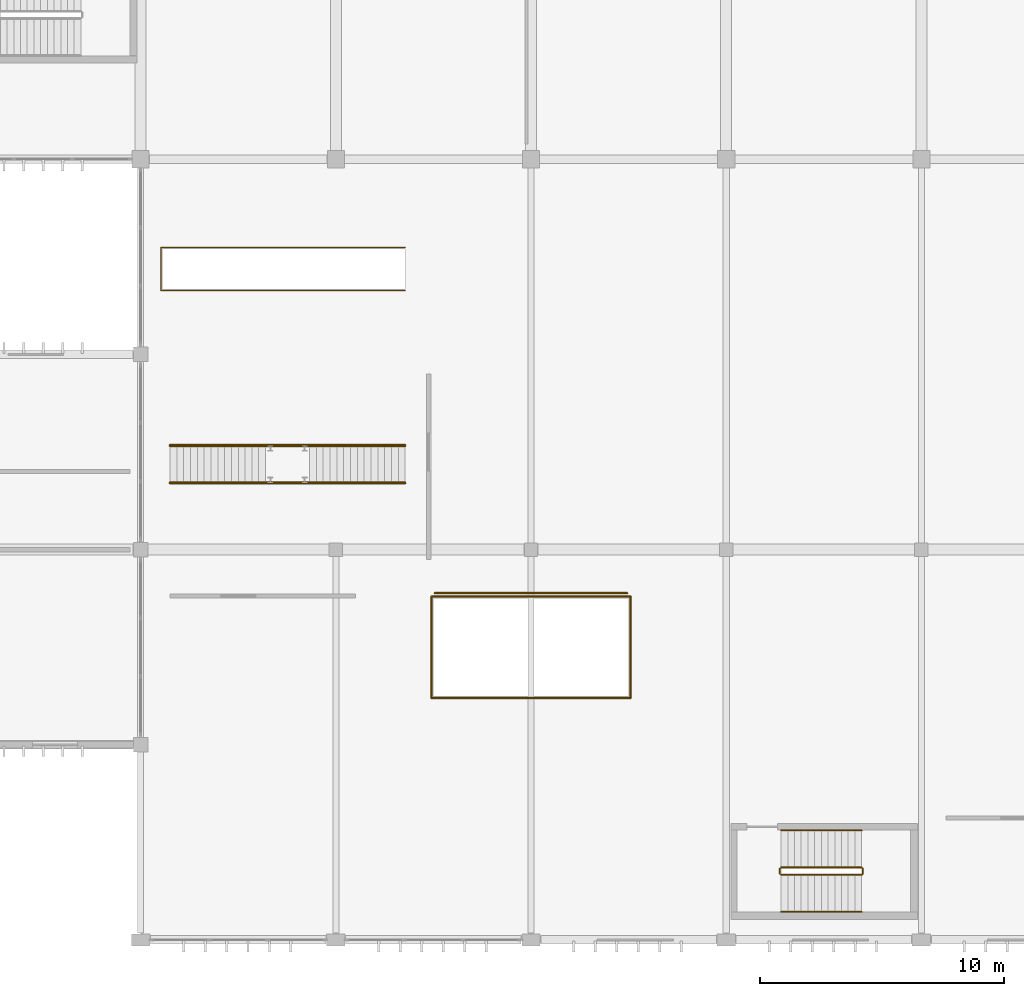
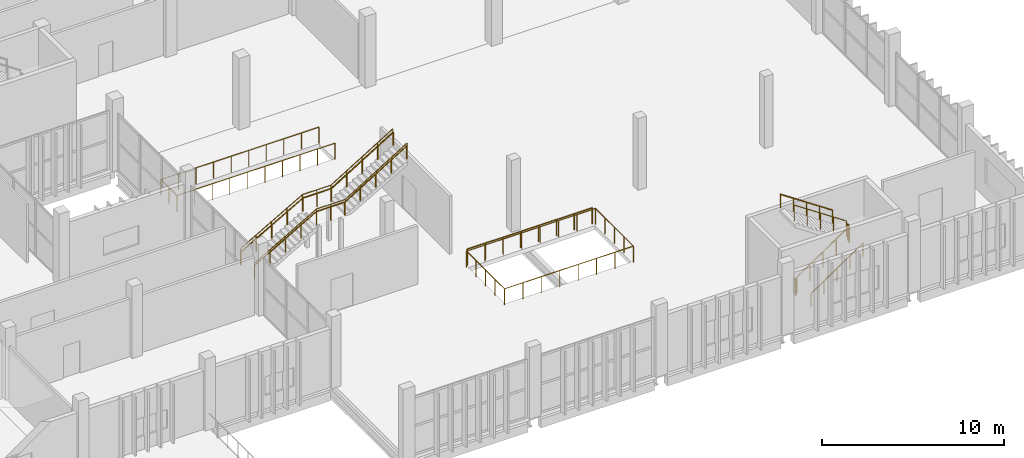
# One storey, part 104 of 106: 14 railings.
"""IFC4 building model written with IfcOpenShell, lengths in metres."""

from ifc_helpers import new_model, si_unit, direction, frame, origin, origin_2d, place, context, subcontext, project, spatial, circle, extrude, material, type_object, element, save


model = new_model("IFC4")

# Units and contexts
model_context = context("Model", 3, precision=1e-05, world=origin(), true_north=direction((0.0, 1.0)))
body_context = subcontext(model_context, "Body", "Model", "MODEL_VIEW")
ifc_project = project(units=[si_unit("LENGTHUNIT", "METRE"), si_unit("AREAUNIT", "SQUARE_METRE"), si_unit("VOLUMEUNIT", "CUBIC_METRE"), si_unit("PLANEANGLEUNIT", "RADIAN"), si_unit("MASSUNIT", "GRAM", prefix="KILO")], contexts=[model_context])

# Site, building, storey
site_placement = place(None, origin())
site = spatial("IfcSite", under=ifc_project, at=site_placement, CompositionType="ELEMENT")
building_placement = place(site_placement, origin())
building = spatial("IfcBuilding", under=site, at=building_placement, Name="Jelvoka-Kovrelna Polytechnic", CompositionType="ELEMENT")
storey_placement = place(building_placement, frame((0.0, 0.0, 4.800048828125)))
storey = spatial("IfcBuildingStorey", under=building, at=storey_placement, Name="L02", CompositionType="ELEMENT", Elevation=4.800048828125)

# Railings
ifc_material_1 = material(Name="Powder-coated architectural steel and stainless top rail", Category="steel")
railing_type_1 = type_object("IfcRailingType", Name="Railing_Rotunda_Balustrade_1100", PredefinedType="BALUSTRADE", material=ifc_material_1)
railing_1_placement = place(storey_placement, frame((172.050048828125, 14.219970703125, 0.0)))
element("IfcRailing", 1, at=railing_1_placement, inside=storey, type_object=railing_type_1, Name="L02 refectory gallery balustrade", PredefinedType="BALUSTRADE", context=body_context, shape_type="SweptSolid", body=[
    extrude(circle(Radius=0.02392578125, at=origin_2d()), frame((0.0, 0.0, 1.076171875), z_axis=(1.0, 0.0, 0.0), x_axis=(0.0, 1.0, 0.0)), (0.0, 0.0, 1.0), 7.89990234375),
    extrude(circle(Radius=0.02099609375, at=origin_2d()), origin(), (0.0, 0.0, 1.0), 1.052001953125),
    extrude(circle(Radius=0.02099609375, at=origin_2d()), frame((1.128662109375, 0.0, 0.0)), (0.0, 0.0, 1.0), 1.052001953125),
    extrude(circle(Radius=0.02099609375, at=origin_2d()), frame((2.257080078125, 0.0, 0.0)), (0.0, 0.0, 1.0), 1.052001953125),
    extrude(circle(Radius=0.02099609375, at=origin_2d()), frame((3.3857421875, 0.0, 0.0)), (0.0, 0.0, 1.0), 1.052001953125),
    extrude(circle(Radius=0.02099609375, at=origin_2d()), frame((4.51416015625, 0.0, 0.0)), (0.0, 0.0, 1.0), 1.052001953125),
    extrude(circle(Radius=0.02099609375, at=origin_2d()), frame((5.642822265625, 0.0, 0.0)), (0.0, 0.0, 1.0), 1.052001953125),
    extrude(circle(Radius=0.02099609375, at=origin_2d()), frame((6.771240234375, 0.0, 0.0)), (0.0, 0.0, 1.0), 1.052001953125),
    extrude(circle(Radius=0.02099609375, at=origin_2d()), frame((7.89990234375, 0.0, 0.0)), (0.0, 0.0, 1.0), 1.052001953125),
])
ifc_material_2 = material(Name="Powder-coated steel stair guard", Category="steel")
railing_type_2 = type_object("IfcRailingType", Name="Railing_Stair_Guard_1100", PredefinedType="GUARDRAIL", material=ifc_material_2)
railing_2_placement = place(storey_placement, frame((186.25, 2.669921875, 0.1845703125)))
element("IfcRailing", 2, at=railing_2_placement, inside=storey, type_object=railing_type_2, Name="L02 ST05 stair guard 1", PredefinedType="GUARDRAIL", context=body_context, shape_type="SweptSolid", body=[
    extrude(circle(Radius=0.02392578125, at=origin_2d()), frame((0.0, 0.0, 1.076171875), z_axis=(0.830269453126, 0.0, 0.557362211857), x_axis=(0.0, 1.0, 0.0)), (0.0, 0.0, 1.0), 3.974609375),
    extrude(circle(Radius=0.02099609375, at=origin_2d()), origin(), (0.0, 0.0, 1.0), 1.052001953125),
    extrude(circle(Radius=0.02099609375, at=origin_2d()), frame((0.824951171875, 0.0, 0.5537109375)), (0.0, 0.0, 1.0), 1.052001953125),
    extrude(circle(Radius=0.02099609375, at=origin_2d()), frame((1.64990234375, 0.0, 1.107666015625)), (0.0, 0.0, 1.0), 1.052001953125),
    extrude(circle(Radius=0.02099609375, at=origin_2d()), frame((2.47509765625, 0.0, 1.66162109375)), (0.0, 0.0, 1.0), 1.052001953125),
    extrude(circle(Radius=0.02099609375, at=origin_2d()), frame((3.300048828125, 0.0, 2.21533203125)), (0.0, 0.0, 1.0), 1.052001953125),
])
railing_3_placement = place(storey_placement, frame((189.60009765625, 2.719970703125, 2.39990234375)))
element("IfcRailing", 3, at=railing_3_placement, inside=storey, type_object=railing_type_2, Name="L02 ST05 stair guard 2", PredefinedType="GUARDRAIL", context=body_context, shape_type="SweptSolid", body=[
    extrude(circle(Radius=0.02392578125, at=origin_2d()), frame((0.0, 0.0, 1.076171875), z_axis=(0.0, 1.0, 0.0), x_axis=(-1.0, 0.0, 0.0)), (0.0, 0.0, 1.0), 0.199951171875),
    extrude(circle(Radius=0.02099609375, at=origin_2d()), origin(), (0.0, 0.0, 1.0), 1.052001953125),
    extrude(circle(Radius=0.02099609375, at=origin_2d()), frame((0.0, 0.199951171875, 0.0)), (0.0, 0.0, 1.0), 1.052001953125),
])
railing_4_placement = place(storey_placement, frame((189.550048828125, 2.969970703125, 2.58447265625)))
element("IfcRailing", 4, at=railing_4_placement, inside=storey, type_object=railing_type_2, Name="L02 ST05 stair guard 3", PredefinedType="GUARDRAIL", context=body_context, shape_type="SweptSolid", body=[
    extrude(circle(Radius=0.02392578125, at=origin_2d()), frame((0.0, 0.0, 1.076171875), z_axis=(-0.830241028356, 0.0, 0.557404552218), x_axis=(0.0, -1.0, 0.0)), (0.0, 0.0, 1.0), 3.974853515625),
    extrude(circle(Radius=0.02099609375, at=origin_2d()), origin(), (0.0, 0.0, 1.0), 1.052001953125),
    extrude(circle(Radius=0.02099609375, at=origin_2d()), frame((-0.824951171875, 0.0, 0.553955078125)), (0.0, 0.0, 1.0), 1.052001953125),
    extrude(circle(Radius=0.02099609375, at=origin_2d()), frame((-1.64990234375, 0.0, 1.10791015625)), (0.0, 0.0, 1.0), 1.052001953125),
    extrude(circle(Radius=0.02099609375, at=origin_2d()), frame((-2.47509765625, 0.0, 1.66162109375)), (0.0, 0.0, 1.0), 1.052001953125),
    extrude(circle(Radius=0.02099609375, at=origin_2d()), frame((-3.300048828125, 0.0, 2.215576171875)), (0.0, 0.0, 1.0), 1.052001953125),
])
railing_5_placement = place(storey_placement, frame((186.199951171875, 2.719970703125, 0.0)))
element("IfcRailing", 5, at=railing_5_placement, inside=storey, type_object=railing_type_2, Name="L02 ST05 stair guard 4", PredefinedType="GUARDRAIL", context=body_context, shape_type="SweptSolid", body=[
    extrude(circle(Radius=0.02392578125, at=origin_2d()), frame((0.0, 0.0, 1.076171875), z_axis=(0.0, 1.0, 0.0), x_axis=(-1.0, 0.0, 0.0)), (0.0, 0.0, 1.0), 0.199951171875),
    extrude(circle(Radius=0.02099609375, at=origin_2d()), origin(), (0.0, 0.0, 1.0), 1.052001953125),
    extrude(circle(Radius=0.02099609375, at=origin_2d()), frame((0.0, 0.199951171875, 0.0)), (0.0, 0.0, 1.0), 1.052001953125),
])
railing_6_placement = place(storey_placement, frame((170.840087890625, 28.385009765625, 0.0)))
element("IfcRailing", 6, at=railing_6_placement, inside=storey, type_object=railing_type_2, Name="L02 ST16 stairwell perimeter guard", PredefinedType="GUARDRAIL", context=body_context, shape_type="SweptSolid", body=[
    extrude(circle(Radius=0.02392578125, at=origin_2d()), frame((0.0, 0.0, 1.076171875), z_axis=(-1.0, 0.0, 0.0), x_axis=(0.0, -1.0, 0.0)), (0.0, 0.0, 1.0), 10.0),
    extrude(circle(Radius=0.02392578125, at=origin_2d()), frame((-10.0, 0.0, 1.076171875), z_axis=(0.0, -1.0, 0.0), x_axis=(1.0, 0.0, 0.0)), (0.0, 0.0, 1.0), 1.77001953125),
    extrude(circle(Radius=0.02392578125, at=origin_2d()), frame((-10.0, -1.77001953125, 1.076171875), z_axis=(1.0, 0.0, 0.0), x_axis=(0.0, 1.0, 0.0)), (0.0, 0.0, 1.0), 10.0),
    extrude(circle(Radius=0.02099609375, at=origin_2d()), origin(), (0.0, 0.0, 1.0), 1.052001953125),
    extrude(circle(Radius=0.02099609375, at=origin_2d()), frame((-1.111083984375, 0.0, 0.0)), (0.0, 0.0, 1.0), 1.052001953125),
    extrude(circle(Radius=0.02099609375, at=origin_2d()), frame((-2.22216796875, 0.0, 0.0)), (0.0, 0.0, 1.0), 1.052001953125),
    extrude(circle(Radius=0.02099609375, at=origin_2d()), frame((-3.333251953125, 0.0, 0.0)), (0.0, 0.0, 1.0), 1.052001953125),
    extrude(circle(Radius=0.02099609375, at=origin_2d()), frame((-4.4443359375, 0.0, 0.0)), (0.0, 0.0, 1.0), 1.052001953125),
    extrude(circle(Radius=0.02099609375, at=origin_2d()), frame((-5.5556640625, 0.0, 0.0)), (0.0, 0.0, 1.0), 1.052001953125),
    extrude(circle(Radius=0.02099609375, at=origin_2d()), frame((-6.666748046875, 0.0, 0.0)), (0.0, 0.0, 1.0), 1.052001953125),
    extrude(circle(Radius=0.02099609375, at=origin_2d()), frame((-7.77783203125, 0.0, 0.0)), (0.0, 0.0, 1.0), 1.052001953125),
    extrude(circle(Radius=0.02099609375, at=origin_2d()), frame((-8.888916015625, 0.0, 0.0)), (0.0, 0.0, 1.0), 1.052001953125),
    extrude(circle(Radius=0.02099609375, at=origin_2d()), frame((-10.0, 0.0, 0.0)), (0.0, 0.0, 1.0), 1.052001953125),
    extrude(circle(Radius=0.02099609375, at=origin_2d()), frame((-10.0, -0.885009765625, 0.0)), (0.0, 0.0, 1.0), 1.052001953125),
    extrude(circle(Radius=0.02099609375, at=origin_2d()), frame((-10.0, -1.77001953125, 0.0)), (0.0, 0.0, 1.0), 1.052001953125),
    extrude(circle(Radius=0.02099609375, at=origin_2d()), frame((-8.888916015625, -1.77001953125, 0.0)), (0.0, 0.0, 1.0), 1.052001953125),
    extrude(circle(Radius=0.02099609375, at=origin_2d()), frame((-7.77783203125, -1.77001953125, 0.0)), (0.0, 0.0, 1.0), 1.052001953125),
    extrude(circle(Radius=0.02099609375, at=origin_2d()), frame((-6.666748046875, -1.77001953125, 0.0)), (0.0, 0.0, 1.0), 1.052001953125),
    extrude(circle(Radius=0.02099609375, at=origin_2d()), frame((-5.5556640625, -1.77001953125, 0.0)), (0.0, 0.0, 1.0), 1.052001953125),
    extrude(circle(Radius=0.02099609375, at=origin_2d()), frame((-4.4443359375, -1.77001953125, 0.0)), (0.0, 0.0, 1.0), 1.052001953125),
    extrude(circle(Radius=0.02099609375, at=origin_2d()), frame((-3.333251953125, -1.77001953125, 0.0)), (0.0, 0.0, 1.0), 1.052001953125),
    extrude(circle(Radius=0.02099609375, at=origin_2d()), frame((-2.22216796875, -1.77001953125, 0.0)), (0.0, 0.0, 1.0), 1.052001953125),
    extrude(circle(Radius=0.02099609375, at=origin_2d()), frame((-1.111083984375, -1.77001953125, 0.0)), (0.0, 0.0, 1.0), 1.052001953125),
    extrude(circle(Radius=0.02099609375, at=origin_2d()), frame((0.0, -1.77001953125, 0.0)), (0.0, 0.0, 1.0), 1.052001953125),
])
railing_7_placement = place(storey_placement, frame((161.199951171875, 18.715087890625, 0.159912109375)))
element("IfcRailing", 7, at=railing_7_placement, inside=storey, type_object=railing_type_2, Name="L02 ST17 flight guard S", PredefinedType="GUARDRAIL", context=body_context, shape_type="SweptSolid", body=[
    extrude(circle(Radius=0.02392578125, at=origin_2d()), frame((0.0, 0.0, 1.076171875), z_axis=(0.86825312469, 0.0, 0.496121468458), x_axis=(0.0, 1.0, 0.0)), (0.0, 0.0, 1.0), 4.514892578125),
    extrude(circle(Radius=0.02392578125, at=origin_2d()), frame((3.920166015625, 0.0, 3.31591796875), z_axis=(1.0, 0.0, 0.0), x_axis=(0.0, 1.0, 0.0)), (0.0, 0.0, 1.0), 1.7998046875),
    extrude(circle(Radius=0.02392578125, at=origin_2d()), frame((5.719970703125, 0.0, 3.31591796875), z_axis=(0.852846959695, 0.0, 0.522160955394), x_axis=(0.0, 1.0, 0.0)), (0.0, 0.0, 1.0), 4.5966796875),
    extrude(circle(Radius=0.02099609375, at=origin_2d()), origin(), (0.0, 0.0, 1.0), 1.052001953125),
    extrude(circle(Radius=0.02099609375, at=origin_2d()), frame((0.97998046875, 0.0, 0.56005859375)), (0.0, 0.0, 1.0), 1.052001953125),
    extrude(circle(Radius=0.02099609375, at=origin_2d()), frame((1.9599609375, 0.0, 1.1201171875)), (0.0, 0.0, 1.0), 1.052001953125),
    extrude(circle(Radius=0.02099609375, at=origin_2d()), frame((2.940185546875, 0.0, 1.679931640625)), (0.0, 0.0, 1.0), 1.052001953125),
    extrude(circle(Radius=0.02099609375, at=origin_2d()), frame((3.920166015625, 0.0, 2.239990234375)), (0.0, 0.0, 1.0), 1.052001953125),
    extrude(circle(Radius=0.02099609375, at=origin_2d()), frame((4.820068359375, 0.0, 2.239990234375)), (0.0, 0.0, 1.0), 1.052001953125),
    extrude(circle(Radius=0.02099609375, at=origin_2d()), frame((5.719970703125, 0.0, 2.239990234375)), (0.0, 0.0, 1.0), 1.052001953125),
    extrude(circle(Radius=0.02099609375, at=origin_2d()), frame((6.699951171875, 0.0, 2.840087890625)), (0.0, 0.0, 1.0), 1.052001953125),
    extrude(circle(Radius=0.02099609375, at=origin_2d()), frame((7.68017578125, 0.0, 3.43994140625)), (0.0, 0.0, 1.0), 1.052001953125),
    extrude(circle(Radius=0.02099609375, at=origin_2d()), frame((8.66015625, 0.0, 4.0400390625)), (0.0, 0.0, 1.0), 1.052001953125),
    extrude(circle(Radius=0.02099609375, at=origin_2d()), frame((9.64013671875, 0.0, 4.64013671875)), (0.0, 0.0, 1.0), 1.052001953125),
])
railing_8_placement = place(storey_placement, frame((161.199951171875, 20.284912109375, 0.159912109375)))
element("IfcRailing", 8, at=railing_8_placement, inside=storey, type_object=railing_type_2, Name="L02 ST17 flight guard N", PredefinedType="GUARDRAIL", context=body_context, shape_type="SweptSolid", body=[
    extrude(circle(Radius=0.02392578125, at=origin_2d()), frame((0.0, 0.0, 1.076171875), z_axis=(0.86825312469, 0.0, 0.496121468458), x_axis=(0.0, 1.0, 0.0)), (0.0, 0.0, 1.0), 4.514892578125),
    extrude(circle(Radius=0.02392578125, at=origin_2d()), frame((3.920166015625, 0.0, 3.31591796875), z_axis=(1.0, 0.0, 0.0), x_axis=(0.0, 1.0, 0.0)), (0.0, 0.0, 1.0), 1.7998046875),
    extrude(circle(Radius=0.02392578125, at=origin_2d()), frame((5.719970703125, 0.0, 3.31591796875), z_axis=(0.852846959695, 0.0, 0.522160955394), x_axis=(0.0, 1.0, 0.0)), (0.0, 0.0, 1.0), 4.5966796875),
    extrude(circle(Radius=0.02099609375, at=origin_2d()), origin(), (0.0, 0.0, 1.0), 1.052001953125),
    extrude(circle(Radius=0.02099609375, at=origin_2d()), frame((0.97998046875, 0.0, 0.56005859375)), (0.0, 0.0, 1.0), 1.052001953125),
    extrude(circle(Radius=0.02099609375, at=origin_2d()), frame((1.9599609375, 0.0, 1.1201171875)), (0.0, 0.0, 1.0), 1.052001953125),
    extrude(circle(Radius=0.02099609375, at=origin_2d()), frame((2.940185546875, 0.0, 1.679931640625)), (0.0, 0.0, 1.0), 1.052001953125),
    extrude(circle(Radius=0.02099609375, at=origin_2d()), frame((3.920166015625, 0.0, 2.239990234375)), (0.0, 0.0, 1.0), 1.052001953125),
    extrude(circle(Radius=0.02099609375, at=origin_2d()), frame((4.820068359375, 0.0, 2.239990234375)), (0.0, 0.0, 1.0), 1.052001953125),
    extrude(circle(Radius=0.02099609375, at=origin_2d()), frame((5.719970703125, 0.0, 2.239990234375)), (0.0, 0.0, 1.0), 1.052001953125),
    extrude(circle(Radius=0.02099609375, at=origin_2d()), frame((6.699951171875, 0.0, 2.840087890625)), (0.0, 0.0, 1.0), 1.052001953125),
    extrude(circle(Radius=0.02099609375, at=origin_2d()), frame((7.68017578125, 0.0, 3.43994140625)), (0.0, 0.0, 1.0), 1.052001953125),
    extrude(circle(Radius=0.02099609375, at=origin_2d()), frame((8.66015625, 0.0, 4.0400390625)), (0.0, 0.0, 1.0), 1.052001953125),
    extrude(circle(Radius=0.02099609375, at=origin_2d()), frame((9.64013671875, 0.0, 4.64013671875)), (0.0, 0.0, 1.0), 1.052001953125),
])
ifc_material_3 = material(Name="Brushed stainless steel handrail", Category="steel")
railing_type_3 = type_object("IfcRailingType", Name="Railing_Stair_Handrail_900", PredefinedType="HANDRAIL", material=ifc_material_3)
railing_9_placement = place(storey_placement, frame((186.25, 1.14990234375, 0.1845703125)))
element("IfcRailing", 9, at=railing_9_placement, inside=storey, type_object=railing_type_3, Name="L02 ST05 stair handrail 1", PredefinedType="HANDRAIL", context=body_context, shape_type="SweptSolid", body=[
    extrude(circle(Radius=0.02392578125, at=origin_2d()), frame((0.0, 0.0, 0.8759765625), z_axis=(0.830269453126, 0.0, 0.557362211857), x_axis=(0.0, 1.0, 0.0)), (0.0, 0.0, 1.0), 3.974609375),
    extrude(circle(Radius=0.02099609375, at=origin_2d()), origin(), (0.0, 0.0, 1.0), 0.851806640625),
    extrude(circle(Radius=0.02099609375, at=origin_2d()), frame((0.824951171875, 0.0, 0.5537109375)), (0.0, 0.0, 1.0), 0.851806640625),
    extrude(circle(Radius=0.02099609375, at=origin_2d()), frame((1.64990234375, 0.0, 1.107666015625)), (0.0, 0.0, 1.0), 0.851806640625),
    extrude(circle(Radius=0.02099609375, at=origin_2d()), frame((2.47509765625, 0.0, 1.66162109375)), (0.0, 0.0, 1.0), 0.851806640625),
    extrude(circle(Radius=0.02099609375, at=origin_2d()), frame((3.300048828125, 0.0, 2.21533203125)), (0.0, 0.0, 1.0), 0.851806640625),
])
railing_10_placement = place(storey_placement, frame((189.550048828125, 4.489990234375, 2.58447265625)))
element("IfcRailing", 10, at=railing_10_placement, inside=storey, type_object=railing_type_3, Name="L02 ST05 stair handrail 2", PredefinedType="HANDRAIL", context=body_context, shape_type="SweptSolid", body=[
    extrude(circle(Radius=0.02392578125, at=origin_2d()), frame((0.0, 0.0, 0.8759765625), z_axis=(-0.830241028356, 0.0, 0.557404552218), x_axis=(0.0, -1.0, 0.0)), (0.0, 0.0, 1.0), 3.974853515625),
    extrude(circle(Radius=0.02099609375, at=origin_2d()), origin(), (0.0, 0.0, 1.0), 0.851806640625),
    extrude(circle(Radius=0.02099609375, at=origin_2d()), frame((-0.824951171875, 0.0, 0.553955078125)), (0.0, 0.0, 1.0), 0.851806640625),
    extrude(circle(Radius=0.02099609375, at=origin_2d()), frame((-1.64990234375, 0.0, 1.10791015625)), (0.0, 0.0, 1.0), 0.851806640625),
    extrude(circle(Radius=0.02099609375, at=origin_2d()), frame((-2.47509765625, 0.0, 1.66162109375)), (0.0, 0.0, 1.0), 0.851806640625),
    extrude(circle(Radius=0.02099609375, at=origin_2d()), frame((-3.300048828125, 0.0, 2.215576171875)), (0.0, 0.0, 1.0), 0.851806640625),
])
railing_11_placement = place(storey_placement, frame((161.199951171875, 18.7548828125, 0.159912109375)))
element("IfcRailing", 11, at=railing_11_placement, inside=storey, type_object=railing_type_3, Name="L02 ST17 handrail S", PredefinedType="HANDRAIL", context=body_context, shape_type="SweptSolid", body=[
    extrude(circle(Radius=0.02392578125, at=origin_2d()), frame((0.0, 0.0, 0.8759765625), z_axis=(0.86825312469, 0.0, 0.496121468458), x_axis=(0.0, 1.0, 0.0)), (0.0, 0.0, 1.0), 4.514892578125),
    extrude(circle(Radius=0.02392578125, at=origin_2d()), frame((3.920166015625, 0.0, 3.11572265625), z_axis=(1.0, 0.0, 0.0), x_axis=(0.0, 1.0, 0.0)), (0.0, 0.0, 1.0), 1.7998046875),
    extrude(circle(Radius=0.02392578125, at=origin_2d()), frame((5.719970703125, 0.0, 3.11572265625), z_axis=(0.852846959695, 0.0, 0.522160955394), x_axis=(0.0, 1.0, 0.0)), (0.0, 0.0, 1.0), 4.5966796875),
    extrude(circle(Radius=0.02099609375, at=origin_2d()), origin(), (0.0, 0.0, 1.0), 0.851806640625),
    extrude(circle(Radius=0.02099609375, at=origin_2d()), frame((0.97998046875, 0.0, 0.56005859375)), (0.0, 0.0, 1.0), 0.851806640625),
    extrude(circle(Radius=0.02099609375, at=origin_2d()), frame((1.9599609375, 0.0, 1.1201171875)), (0.0, 0.0, 1.0), 0.851806640625),
    extrude(circle(Radius=0.02099609375, at=origin_2d()), frame((2.940185546875, 0.0, 1.679931640625)), (0.0, 0.0, 1.0), 0.851806640625),
    extrude(circle(Radius=0.02099609375, at=origin_2d()), frame((3.920166015625, 0.0, 2.239990234375)), (0.0, 0.0, 1.0), 0.851806640625),
    extrude(circle(Radius=0.02099609375, at=origin_2d()), frame((4.820068359375, 0.0, 2.239990234375)), (0.0, 0.0, 1.0), 0.851806640625),
    extrude(circle(Radius=0.02099609375, at=origin_2d()), frame((5.719970703125, 0.0, 2.239990234375)), (0.0, 0.0, 1.0), 0.851806640625),
    extrude(circle(Radius=0.02099609375, at=origin_2d()), frame((6.699951171875, 0.0, 2.840087890625)), (0.0, 0.0, 1.0), 0.851806640625),
    extrude(circle(Radius=0.02099609375, at=origin_2d()), frame((7.68017578125, 0.0, 3.43994140625)), (0.0, 0.0, 1.0), 0.851806640625),
    extrude(circle(Radius=0.02099609375, at=origin_2d()), frame((8.66015625, 0.0, 4.0400390625)), (0.0, 0.0, 1.0), 0.851806640625),
    extrude(circle(Radius=0.02099609375, at=origin_2d()), frame((9.64013671875, 0.0, 4.64013671875)), (0.0, 0.0, 1.0), 0.851806640625),
])
railing_12_placement = place(storey_placement, frame((161.199951171875, 20.2451171875, 0.159912109375)))
element("IfcRailing", 12, at=railing_12_placement, inside=storey, type_object=railing_type_3, Name="L02 ST17 handrail N", PredefinedType="HANDRAIL", context=body_context, shape_type="SweptSolid", body=[
    extrude(circle(Radius=0.02392578125, at=origin_2d()), frame((0.0, 0.0, 0.8759765625), z_axis=(0.86825312469, 0.0, 0.496121468458), x_axis=(0.0, 1.0, 0.0)), (0.0, 0.0, 1.0), 4.514892578125),
    extrude(circle(Radius=0.02392578125, at=origin_2d()), frame((3.920166015625, 0.0, 3.11572265625), z_axis=(1.0, 0.0, 0.0), x_axis=(0.0, 1.0, 0.0)), (0.0, 0.0, 1.0), 1.7998046875),
    extrude(circle(Radius=0.02392578125, at=origin_2d()), frame((5.719970703125, 0.0, 3.11572265625), z_axis=(0.852846959695, 0.0, 0.522160955394), x_axis=(0.0, 1.0, 0.0)), (0.0, 0.0, 1.0), 4.5966796875),
    extrude(circle(Radius=0.02099609375, at=origin_2d()), origin(), (0.0, 0.0, 1.0), 0.851806640625),
    extrude(circle(Radius=0.02099609375, at=origin_2d()), frame((0.97998046875, 0.0, 0.56005859375)), (0.0, 0.0, 1.0), 0.851806640625),
    extrude(circle(Radius=0.02099609375, at=origin_2d()), frame((1.9599609375, 0.0, 1.1201171875)), (0.0, 0.0, 1.0), 0.851806640625),
    extrude(circle(Radius=0.02099609375, at=origin_2d()), frame((2.940185546875, 0.0, 1.679931640625)), (0.0, 0.0, 1.0), 0.851806640625),
    extrude(circle(Radius=0.02099609375, at=origin_2d()), frame((3.920166015625, 0.0, 2.239990234375)), (0.0, 0.0, 1.0), 0.851806640625),
    extrude(circle(Radius=0.02099609375, at=origin_2d()), frame((4.820068359375, 0.0, 2.239990234375)), (0.0, 0.0, 1.0), 0.851806640625),
    extrude(circle(Radius=0.02099609375, at=origin_2d()), frame((5.719970703125, 0.0, 2.239990234375)), (0.0, 0.0, 1.0), 0.851806640625),
    extrude(circle(Radius=0.02099609375, at=origin_2d()), frame((6.699951171875, 0.0, 2.840087890625)), (0.0, 0.0, 1.0), 0.851806640625),
    extrude(circle(Radius=0.02099609375, at=origin_2d()), frame((7.68017578125, 0.0, 3.43994140625)), (0.0, 0.0, 1.0), 0.851806640625),
    extrude(circle(Radius=0.02099609375, at=origin_2d()), frame((8.66015625, 0.0, 4.0400390625)), (0.0, 0.0, 1.0), 0.851806640625),
    extrude(circle(Radius=0.02099609375, at=origin_2d()), frame((9.64013671875, 0.0, 4.64013671875)), (0.0, 0.0, 1.0), 0.851806640625),
])
ifc_material_4 = material(Name="Brushed stainless steel Grade 316", Category="steel")
railing_type_4 = type_object("IfcRailingType", Name="Railing_Terrace_Guard_1100", PredefinedType="GUARDRAIL", material=ifc_material_4)
railing_13_placement = place(storey_placement, frame((171.919921875, 9.919921875, 0.0)))
element("IfcRailing", 13, at=railing_13_placement, inside=storey, type_object=railing_type_4, Name="L02 refectory atrium void guard SE", PredefinedType="GUARDRAIL", context=body_context, shape_type="SweptSolid", body=[
    extrude(circle(Radius=0.02392578125, at=origin_2d()), frame((0.0, 0.0, 1.076171875), z_axis=(1.0, 0.0, 0.0), x_axis=(0.0, 1.0, 0.0)), (0.0, 0.0, 1.0), 8.16015625),
    extrude(circle(Radius=0.02392578125, at=origin_2d()), frame((8.16015625, 0.0, 1.076171875), z_axis=(0.0, 1.0, 0.0), x_axis=(-1.0, 0.0, 0.0)), (0.0, 0.0, 1.0), 4.16015625),
    extrude(circle(Radius=0.02099609375, at=origin_2d()), origin(), (0.0, 0.0, 1.0), 1.052001953125),
    extrude(circle(Radius=0.02099609375, at=origin_2d()), frame((1.165771484375, 0.0, 0.0)), (0.0, 0.0, 1.0), 1.052001953125),
    extrude(circle(Radius=0.02099609375, at=origin_2d()), frame((2.33154296875, 0.0, 0.0)), (0.0, 0.0, 1.0), 1.052001953125),
    extrude(circle(Radius=0.02099609375, at=origin_2d()), frame((3.497314453125, 0.0, 0.0)), (0.0, 0.0, 1.0), 1.052001953125),
    extrude(circle(Radius=0.02099609375, at=origin_2d()), frame((4.662841796875, 0.0, 0.0)), (0.0, 0.0, 1.0), 1.052001953125),
    extrude(circle(Radius=0.02099609375, at=origin_2d()), frame((5.82861328125, 0.0, 0.0)), (0.0, 0.0, 1.0), 1.052001953125),
    extrude(circle(Radius=0.02099609375, at=origin_2d()), frame((6.994384765625, 0.0, 0.0)), (0.0, 0.0, 1.0), 1.052001953125),
    extrude(circle(Radius=0.02099609375, at=origin_2d()), frame((8.16015625, 0.0, 0.0)), (0.0, 0.0, 1.0), 1.052001953125),
    extrude(circle(Radius=0.02099609375, at=origin_2d()), frame((8.16015625, 1.0400390625, 0.0)), (0.0, 0.0, 1.0), 1.052001953125),
    extrude(circle(Radius=0.02099609375, at=origin_2d()), frame((8.16015625, 2.080078125, 0.0)), (0.0, 0.0, 1.0), 1.052001953125),
    extrude(circle(Radius=0.02099609375, at=origin_2d()), frame((8.16015625, 3.1201171875, 0.0)), (0.0, 0.0, 1.0), 1.052001953125),
    extrude(circle(Radius=0.02099609375, at=origin_2d()), frame((8.16015625, 4.16015625, 0.0)), (0.0, 0.0, 1.0), 1.052001953125),
])
railing_14_placement = place(storey_placement, frame((180.080078125, 14.080078125, 0.0)))
element("IfcRailing", 14, at=railing_14_placement, inside=storey, type_object=railing_type_4, Name="L02 refectory atrium void guard NW", PredefinedType="GUARDRAIL", context=body_context, shape_type="SweptSolid", body=[
    extrude(circle(Radius=0.02392578125, at=origin_2d()), frame((0.0, 0.0, 1.076171875), z_axis=(-1.0, 0.0, 0.0), x_axis=(0.0, -1.0, 0.0)), (0.0, 0.0, 1.0), 8.16015625),
    extrude(circle(Radius=0.02392578125, at=origin_2d()), frame((-8.16015625, 0.0, 1.076171875), z_axis=(0.0, -1.0, 0.0), x_axis=(1.0, 0.0, 0.0)), (0.0, 0.0, 1.0), 4.16015625),
    extrude(circle(Radius=0.02099609375, at=origin_2d()), origin(), (0.0, 0.0, 1.0), 1.052001953125),
    extrude(circle(Radius=0.02099609375, at=origin_2d()), frame((-1.165771484375, 0.0, 0.0)), (0.0, 0.0, 1.0), 1.052001953125),
    extrude(circle(Radius=0.02099609375, at=origin_2d()), frame((-2.33154296875, 0.0, 0.0)), (0.0, 0.0, 1.0), 1.052001953125),
    extrude(circle(Radius=0.02099609375, at=origin_2d()), frame((-3.497314453125, 0.0, 0.0)), (0.0, 0.0, 1.0), 1.052001953125),
    extrude(circle(Radius=0.02099609375, at=origin_2d()), frame((-4.662841796875, 0.0, 0.0)), (0.0, 0.0, 1.0), 1.052001953125),
    extrude(circle(Radius=0.02099609375, at=origin_2d()), frame((-5.82861328125, 0.0, 0.0)), (0.0, 0.0, 1.0), 1.052001953125),
    extrude(circle(Radius=0.02099609375, at=origin_2d()), frame((-6.994384765625, 0.0, 0.0)), (0.0, 0.0, 1.0), 1.052001953125),
    extrude(circle(Radius=0.02099609375, at=origin_2d()), frame((-8.16015625, 0.0, 0.0)), (0.0, 0.0, 1.0), 1.052001953125),
    extrude(circle(Radius=0.02099609375, at=origin_2d()), frame((-8.16015625, -1.0400390625, 0.0)), (0.0, 0.0, 1.0), 1.052001953125),
    extrude(circle(Radius=0.02099609375, at=origin_2d()), frame((-8.16015625, -2.080078125, 0.0)), (0.0, 0.0, 1.0), 1.052001953125),
    extrude(circle(Radius=0.02099609375, at=origin_2d()), frame((-8.16015625, -3.1201171875, 0.0)), (0.0, 0.0, 1.0), 1.052001953125),
    extrude(circle(Radius=0.02099609375, at=origin_2d()), frame((-8.16015625, -4.16015625, 0.0)), (0.0, 0.0, 1.0), 1.052001953125),
])

save(model, "model.ifc")
